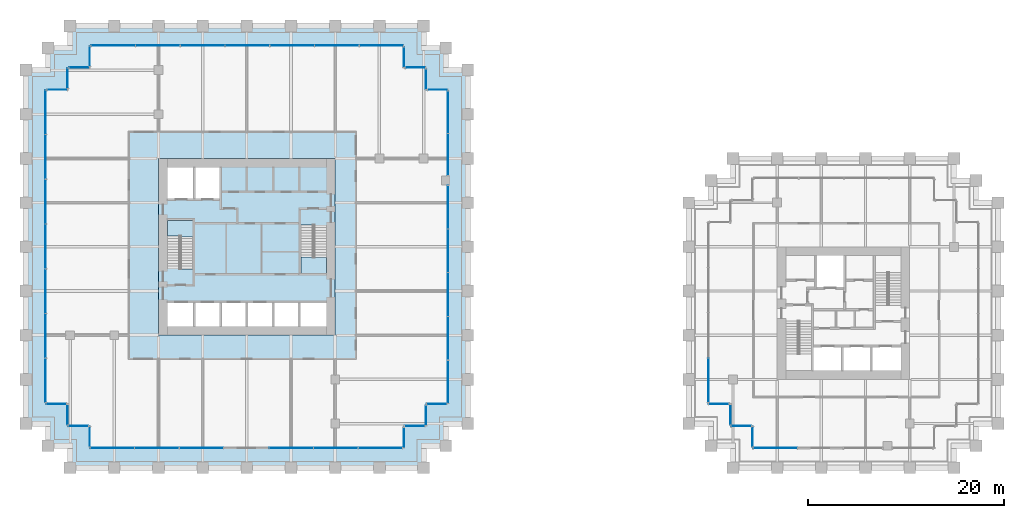
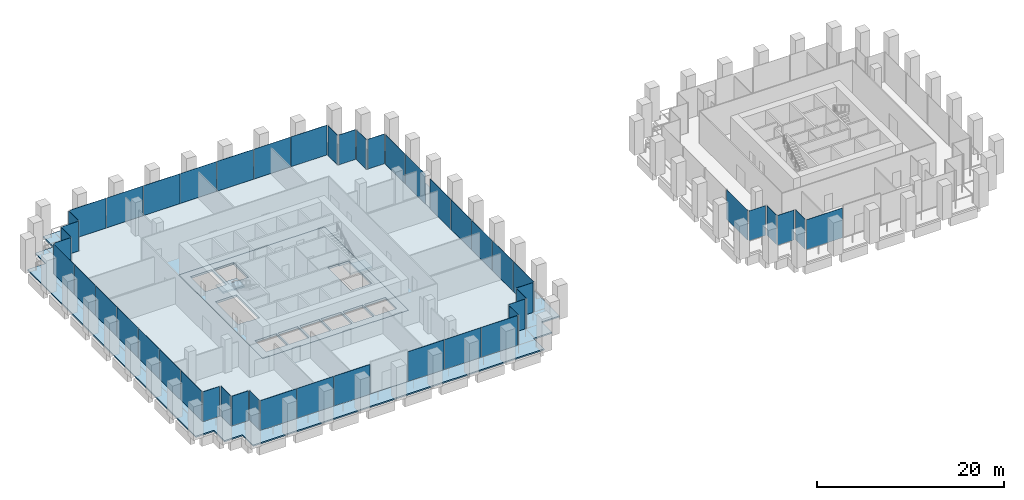
# One storey, part 28 of 36: 49 plates, 5 slabs, 30 elements without a shape of their own.
"""IFC4 building model written with IfcOpenShell, lengths in metres."""

from ifc_helpers import new_model, si_unit, direction, frame, origin, origin_2d, place, context, subcontext, project, spatial, polyline, rectangle, outline, extrude, material, layer, layer_set, type_object, element, aggregate, save


model = new_model("IFC4")

# Units and contexts
model_context = context("Model", 3, precision=1e-05, world=origin(), true_north=direction((0.0, 1.0)))
body_context = subcontext(model_context, "Body", "Model", "MODEL_VIEW")
ifc_project = project(units=[si_unit("LENGTHUNIT", "METRE"), si_unit("AREAUNIT", "SQUARE_METRE"), si_unit("VOLUMEUNIT", "CUBIC_METRE"), si_unit("PLANEANGLEUNIT", "RADIAN"), si_unit("MASSUNIT", "GRAM", prefix="KILO")], contexts=[model_context])

# Site, building, storey
site_placement = place(None, origin())
site = spatial("IfcSite", under=ifc_project, at=site_placement, CompositionType="ELEMENT")
building_placement = place(site_placement, origin())
building = spatial("IfcBuilding", under=site, at=building_placement, Name="Altepetl Exchange Towers", CompositionType="ELEMENT")
storey_placement = place(building_placement, frame((0.0, 0.0, 25.39990234375)))
storey = spatial("IfcBuildingStorey", under=building, at=storey_placement, Name="L05", CompositionType="ELEMENT", Elevation=25.39990234375)

# Slabs
ifc_material_1 = material(Name="Concrete C40/50", Category="concrete")
ifc_layer_1 = layer(ifc_material_1, 0.175048828125)
ifc_layer_set_1 = layer_set([ifc_layer_1], Name="Concrete C40/50")
slab_type_1 = type_object("IfcSlabType", Name="Composite floor slab 175", PredefinedType="FLOOR", material=ifc_layer_set_1)
slab_1_placement = place(storey_placement, frame((0.0, 0.0, -0.1748046875)))
element("IfcSlab", 1, at=slab_1_placement, inside=storey, type_object=slab_type_1, Name="slab:A:L05:strip0", PredefinedType="FLOOR", context=body_context, shape_type="SweptSolid", body=[
    extrude(outline(polyline([(31.25, 67.75), (31.25, 65.5), (29.0, 65.5), (29.0, 33.5), (31.25, 33.5), (31.25, 31.25), (33.5, 31.25), (33.5, 29.0), (65.5, 29.0), (65.5, 31.25), (67.75, 31.25), (67.75, 33.5), (70.0, 33.5), (70.0, 65.5), (67.75, 65.5), (67.75, 67.75), (65.5, 67.75), (65.5, 70.0), (33.5, 70.0), (33.5, 67.75), (31.25, 67.75)]), holes=[polyline([(58.5, 58.5), (58.5, 40.5), (40.5, 40.5), (40.5, 58.5), (58.5, 58.5)])]), origin(), (0.0, 0.0, 1.0), 0.1748046875),
])
ifc_layer_2 = layer(ifc_material_1, 0.27490234375)
ifc_layer_set_2 = layer_set([ifc_layer_2], Name="Concrete C40/50")
slab_type_2 = type_object("IfcSlabType", Name="Core floor slab 275", PredefinedType="FLOOR", material=ifc_layer_set_2)
slab_2_placement = place(storey_placement, frame((0.0, 0.0, -0.27490234375)))
element("IfcSlab", 2, at=slab_2_placement, inside=storey, type_object=slab_type_2, Name="slab:A:L05:core0", PredefinedType="FLOOR", context=body_context, shape_type="SweptSolid", body=[
    extrude(outline(polyline([(40.5, 40.5), (58.5, 40.5), (58.5, 58.5), (40.5, 58.5), (40.5, 40.5)]), holes=[polyline([(41.39990234375, 43.800048828125), (44.06689453125, 43.800048828125), (44.06689453125, 41.39990234375), (41.39990234375, 41.39990234375), (41.39990234375, 43.800048828125)]), polyline([(44.26708984375, 43.800048828125), (46.73291015625, 43.800048828125), (46.73291015625, 41.39990234375), (44.26708984375, 41.39990234375), (44.26708984375, 43.800048828125)]), polyline([(46.93310546875, 43.800048828125), (49.39990234375, 43.800048828125), (49.39990234375, 41.39990234375), (46.93310546875, 41.39990234375), (46.93310546875, 43.800048828125)]), polyline([(52.06689453125, 43.800048828125), (52.06689453125, 41.39990234375), (49.60009765625, 41.39990234375), (49.60009765625, 43.800048828125), (52.06689453125, 43.800048828125)]), polyline([(54.73291015625, 43.800048828125), (54.73291015625, 41.39990234375), (52.26708984375, 41.39990234375), (52.26708984375, 43.800048828125), (54.73291015625, 43.800048828125)]), polyline([(54.93310546875, 43.800048828125), (57.60009765625, 43.800048828125), (57.60009765625, 41.39990234375), (54.93310546875, 41.39990234375), (54.93310546875, 43.800048828125)]), polyline([(55.0, 51.7490234375), (56.35009765625, 51.7490234375), (56.35009765625, 51.64990234375), (57.60009765625, 51.64990234375), (57.60009765625, 46.800048828125), (55.0, 46.800048828125), (55.0, 51.7490234375)]), polyline([(44.0, 47.2509765625), (42.64990234375, 47.2509765625), (42.64990234375, 47.35009765625), (41.39990234375, 47.35009765625), (41.39990234375, 52.199951171875), (44.0, 52.199951171875), (44.0, 47.2509765625)]), polyline([(44.06689453125, 57.60009765625), (44.06689453125, 54.39990234375), (41.39990234375, 54.39990234375), (41.39990234375, 57.60009765625), (44.06689453125, 57.60009765625)]), polyline([(46.73291015625, 57.60009765625), (46.73291015625, 54.39990234375), (44.26708984375, 54.39990234375), (44.26708984375, 57.60009765625), (46.73291015625, 57.60009765625)])]), origin(), (0.0, 0.0, 1.0), 0.27490234375),
])

# Curtain wall, plate
ifc_material_2 = material(Name="Aluminium 6063-T6 glazing", Category="aluminium")
curtain_wall_type = type_object("IfcCurtainWallType", Name="Trading floor glazing system", PredefinedType="NOTDEFINED", material=ifc_material_2)
curtain_wall_1_placement = place(storey_placement, origin())
curtain_wall_1 = element("IfcCurtainWall", 3, at=curtain_wall_1_placement, inside=storey, type_object=curtain_wall_type, Name="CW2 run", PredefinedType="NOTDEFINED")
ifc_material_3 = material(Name="Glass 8-20-8 solar control", Category="glass")
ifc_layer_3 = layer(ifc_material_3, 0.035888671875)
ifc_layer_set_3 = layer_set([ifc_layer_3], Name="Glass 8-20-8 solar control")
plate_type = type_object("IfcPlateType", Name="Glass panel 36 double glazed", PredefinedType="CURTAIN_PANEL", material=ifc_layer_set_3)
plate_1_placement = place(storey_placement, frame((30.175048828125, 65.5, 0.000244140625), z_axis=(0.0, 0.0, 1.0), x_axis=(-1.0, 0.0, 0.0)))
plate_1 = element("IfcPlate", 4, at=plate_1_placement, type_object=plate_type, Name="GP2 panel", PredefinedType="CURTAIN_PANEL", context=body_context, shape_type="SweptSolid", body=[
    extrude(rectangle(XDim=2.030029296875, YDim=0.035888671875, at=origin_2d()), origin(), (0.0, 0.0, 1.0), 3.89990234375),
])
aggregate(curtain_wall_1, [plate_1])

# Curtain wall, plates
curtain_wall_2_placement = place(storey_placement, origin())
curtain_wall_2 = element("IfcCurtainWall", 5, at=curtain_wall_2_placement, inside=storey, type_object=curtain_wall_type, Name="CW2 run", PredefinedType="NOTDEFINED")
plate_2_placement = place(storey_placement, frame((29.0, 63.20654296875, 0.000244140625), z_axis=(0.0, 0.0, 1.0), x_axis=(0.0, -1.0, 0.0)))
plate_2 = element("IfcPlate", 6, at=plate_2_placement, type_object=plate_type, Name="GP2 panel", PredefinedType="CURTAIN_PANEL", context=body_context, shape_type="SweptSolid", body=[
    extrude(rectangle(XDim=4.467041015625, YDim=0.035888671875, at=origin_2d()), origin(), (0.0, 0.0, 1.0), 3.89990234375),
])
plate_3_placement = place(storey_placement, frame((29.0, 58.664306640625, 0.000244140625), z_axis=(0.0, 0.0, 1.0), x_axis=(0.0, -1.0, 0.0)))
plate_3 = element("IfcPlate", 7, at=plate_3_placement, type_object=plate_type, Name="GP2 panel", PredefinedType="CURTAIN_PANEL", context=body_context, shape_type="SweptSolid", body=[
    extrude(rectangle(XDim=4.4970703125, YDim=0.035888671875, at=origin_2d()), origin(), (0.0, 0.0, 1.0), 3.89990234375),
])
plate_4_placement = place(storey_placement, frame((29.0, 54.107177734375, 0.000244140625), z_axis=(0.0, 0.0, 1.0), x_axis=(0.0, -1.0, 0.0)))
plate_4 = element("IfcPlate", 8, at=plate_4_placement, type_object=plate_type, Name="GP2 panel", PredefinedType="CURTAIN_PANEL", context=body_context, shape_type="SweptSolid", body=[
    extrude(rectangle(XDim=4.4970703125, YDim=0.035888671875, at=origin_2d()), origin(), (0.0, 0.0, 1.0), 3.89990234375),
])
plate_5_placement = place(storey_placement, frame((29.0, 49.550048828125, 0.000244140625), z_axis=(0.0, 0.0, 1.0), x_axis=(0.0, -1.0, 0.0)))
plate_5 = element("IfcPlate", 9, at=plate_5_placement, type_object=plate_type, Name="GP2 panel", PredefinedType="CURTAIN_PANEL", context=body_context, shape_type="SweptSolid", body=[
    extrude(rectangle(XDim=4.4970703125, YDim=0.035888671875, at=origin_2d()), origin(), (0.0, 0.0, 1.0), 3.89990234375),
])
plate_6_placement = place(storey_placement, frame((29.0, 44.992919921875, 0.000244140625), z_axis=(0.0, 0.0, 1.0), x_axis=(0.0, -1.0, 0.0)))
plate_6 = element("IfcPlate", 10, at=plate_6_placement, type_object=plate_type, Name="GP2 panel", PredefinedType="CURTAIN_PANEL", context=body_context, shape_type="SweptSolid", body=[
    extrude(rectangle(XDim=4.4970703125, YDim=0.035888671875, at=origin_2d()), origin(), (0.0, 0.0, 1.0), 3.89990234375),
])
plate_7_placement = place(storey_placement, frame((29.0, 40.435791015625, 0.000244140625), z_axis=(0.0, 0.0, 1.0), x_axis=(0.0, -1.0, 0.0)))
plate_7 = element("IfcPlate", 11, at=plate_7_placement, type_object=plate_type, Name="GP2 panel", PredefinedType="CURTAIN_PANEL", context=body_context, shape_type="SweptSolid", body=[
    extrude(rectangle(XDim=4.4970703125, YDim=0.035888671875, at=origin_2d()), origin(), (0.0, 0.0, 1.0), 3.89990234375),
])
plate_8_placement = place(storey_placement, frame((29.0, 35.8935546875, 0.000244140625), z_axis=(0.0, 0.0, 1.0), x_axis=(0.0, -1.0, 0.0)))
plate_8 = element("IfcPlate", 12, at=plate_8_placement, type_object=plate_type, Name="GP2 panel", PredefinedType="CURTAIN_PANEL", context=body_context, shape_type="SweptSolid", body=[
    extrude(rectangle(XDim=4.467041015625, YDim=0.035888671875, at=origin_2d()), origin(), (0.0, 0.0, 1.0), 3.89990234375),
])
aggregate(curtain_wall_2, [plate_2, plate_3, plate_4, plate_5, plate_6, plate_7, plate_8])

# Curtain wall, plate
curtain_wall_3_placement = place(storey_placement, origin())
curtain_wall_3 = element("IfcCurtainWall", 13, at=curtain_wall_3_placement, inside=storey, type_object=curtain_wall_type, Name="CW2 run", PredefinedType="NOTDEFINED")
plate_9_placement = place(storey_placement, frame((30.074951171875, 33.5, 0.000244140625)))
plate_9 = element("IfcPlate", 14, at=plate_9_placement, type_object=plate_type, Name="GP2 panel", PredefinedType="CURTAIN_PANEL", context=body_context, shape_type="SweptSolid", body=[
    extrude(rectangle(XDim=2.030029296875, YDim=0.035888671875, at=origin_2d()), origin(), (0.0, 0.0, 1.0), 3.89990234375),
])
aggregate(curtain_wall_3, [plate_9])

curtain_wall_4_placement = place(storey_placement, origin())
curtain_wall_4 = element("IfcCurtainWall", 15, at=curtain_wall_4_placement, inside=storey, type_object=curtain_wall_type, Name="CW2 run", PredefinedType="NOTDEFINED")
plate_10_placement = place(storey_placement, frame((31.25, 32.425048828125, 0.000244140625), z_axis=(0.0, 0.0, 1.0), x_axis=(0.0, -1.0, 0.0)))
plate_10 = element("IfcPlate", 16, at=plate_10_placement, type_object=plate_type, Name="GP2 panel", PredefinedType="CURTAIN_PANEL", context=body_context, shape_type="SweptSolid", body=[
    extrude(rectangle(XDim=2.030029296875, YDim=0.035888671875, at=origin_2d()), origin(), (0.0, 0.0, 1.0), 3.89990234375),
])
aggregate(curtain_wall_4, [plate_10])

curtain_wall_5_placement = place(storey_placement, origin())
curtain_wall_5 = element("IfcCurtainWall", 17, at=curtain_wall_5_placement, inside=storey, type_object=curtain_wall_type, Name="CW2 run", PredefinedType="NOTDEFINED")
plate_11_placement = place(storey_placement, frame((32.324951171875, 31.25, 0.000244140625)))
plate_11 = element("IfcPlate", 18, at=plate_11_placement, type_object=plate_type, Name="GP2 panel", PredefinedType="CURTAIN_PANEL", context=body_context, shape_type="SweptSolid", body=[
    extrude(rectangle(XDim=2.030029296875, YDim=0.035888671875, at=origin_2d()), origin(), (0.0, 0.0, 1.0), 3.89990234375),
])
aggregate(curtain_wall_5, [plate_11])

curtain_wall_6_placement = place(storey_placement, origin())
curtain_wall_6 = element("IfcCurtainWall", 19, at=curtain_wall_6_placement, inside=storey, type_object=curtain_wall_type, Name="CW2 run", PredefinedType="NOTDEFINED")
plate_12_placement = place(storey_placement, frame((33.5, 30.175048828125, 0.000244140625), z_axis=(0.0, 0.0, 1.0), x_axis=(0.0, -1.0, 0.0)))
plate_12 = element("IfcPlate", 20, at=plate_12_placement, type_object=plate_type, Name="GP2 panel", PredefinedType="CURTAIN_PANEL", context=body_context, shape_type="SweptSolid", body=[
    extrude(rectangle(XDim=2.030029296875, YDim=0.035888671875, at=origin_2d()), origin(), (0.0, 0.0, 1.0), 3.89990234375),
])
aggregate(curtain_wall_6, [plate_12])

# Curtain wall, plates
curtain_wall_7_placement = place(storey_placement, origin())
curtain_wall_7 = element("IfcCurtainWall", 21, at=curtain_wall_7_placement, inside=storey, type_object=curtain_wall_type, Name="CW2 run", PredefinedType="NOTDEFINED")
plate_13_placement = place(storey_placement, frame((35.79345703125, 29.0, 0.000244140625)))
plate_13 = element("IfcPlate", 22, at=plate_13_placement, type_object=plate_type, Name="GP2 panel", PredefinedType="CURTAIN_PANEL", context=body_context, shape_type="SweptSolid", body=[
    extrude(rectangle(XDim=4.467041015625, YDim=0.035888671875, at=origin_2d()), origin(), (0.0, 0.0, 1.0), 3.89990234375),
])
plate_14_placement = place(storey_placement, frame((40.335693359375, 29.0, 0.000244140625)))
plate_14 = element("IfcPlate", 23, at=plate_14_placement, type_object=plate_type, Name="GP2 panel", PredefinedType="CURTAIN_PANEL", context=body_context, shape_type="SweptSolid", body=[
    extrude(rectangle(XDim=4.4970703125, YDim=0.035888671875, at=origin_2d()), origin(), (0.0, 0.0, 1.0), 3.89990234375),
])
plate_15_placement = place(storey_placement, frame((44.8779296875, 29.0, 0.000244140625)))
plate_15 = element("IfcPlate", 24, at=plate_15_placement, type_object=plate_type, Name="GP2 panel", PredefinedType="CURTAIN_PANEL", context=body_context, shape_type="SweptSolid", body=[
    extrude(rectangle(XDim=4.467041015625, YDim=0.035888671875, at=origin_2d()), origin(), (0.0, 0.0, 1.0), 3.89990234375),
])
aggregate(curtain_wall_7, [plate_13, plate_14, plate_15])

curtain_wall_8_placement = place(storey_placement, origin())
curtain_wall_8 = element("IfcCurtainWall", 25, at=curtain_wall_8_placement, inside=storey, type_object=curtain_wall_type, Name="CW2 run", PredefinedType="NOTDEFINED")
plate_16_placement = place(storey_placement, frame((54.022216796875, 29.0, 0.000244140625)))
plate_16 = element("IfcPlate", 26, at=plate_16_placement, type_object=plate_type, Name="GP2 panel", PredefinedType="CURTAIN_PANEL", context=body_context, shape_type="SweptSolid", body=[
    extrude(rectangle(XDim=4.467041015625, YDim=0.035888671875, at=origin_2d()), origin(), (0.0, 0.0, 1.0), 3.89990234375),
])
plate_17_placement = place(storey_placement, frame((58.564208984375, 29.0, 0.000244140625)))
plate_17 = element("IfcPlate", 27, at=plate_17_placement, type_object=plate_type, Name="GP2 panel", PredefinedType="CURTAIN_PANEL", context=body_context, shape_type="SweptSolid", body=[
    extrude(rectangle(XDim=4.4970703125, YDim=0.035888671875, at=origin_2d()), origin(), (0.0, 0.0, 1.0), 3.89990234375),
])
plate_18_placement = place(storey_placement, frame((63.1064453125, 29.0, 0.000244140625)))
plate_18 = element("IfcPlate", 28, at=plate_18_placement, type_object=plate_type, Name="GP2 panel", PredefinedType="CURTAIN_PANEL", context=body_context, shape_type="SweptSolid", body=[
    extrude(rectangle(XDim=4.467041015625, YDim=0.035888671875, at=origin_2d()), origin(), (0.0, 0.0, 1.0), 3.89990234375),
])
aggregate(curtain_wall_8, [plate_16, plate_17, plate_18])

# Curtain wall, plate
curtain_wall_9_placement = place(storey_placement, origin())
curtain_wall_9 = element("IfcCurtainWall", 29, at=curtain_wall_9_placement, inside=storey, type_object=curtain_wall_type, Name="CW2 run", PredefinedType="NOTDEFINED")
plate_19_placement = place(storey_placement, frame((65.5, 30.074951171875, 0.000244140625), z_axis=(0.0, 0.0, 1.0), x_axis=(0.0, 1.0, 0.0)))
plate_19 = element("IfcPlate", 30, at=plate_19_placement, type_object=plate_type, Name="GP2 panel", PredefinedType="CURTAIN_PANEL", context=body_context, shape_type="SweptSolid", body=[
    extrude(rectangle(XDim=2.030029296875, YDim=0.035888671875, at=origin_2d()), origin(), (0.0, 0.0, 1.0), 3.89990234375),
])
aggregate(curtain_wall_9, [plate_19])

curtain_wall_10_placement = place(storey_placement, origin())
curtain_wall_10 = element("IfcCurtainWall", 31, at=curtain_wall_10_placement, inside=storey, type_object=curtain_wall_type, Name="CW2 run", PredefinedType="NOTDEFINED")
plate_20_placement = place(storey_placement, frame((66.574951171875, 31.25, 0.000244140625)))
plate_20 = element("IfcPlate", 32, at=plate_20_placement, type_object=plate_type, Name="GP2 panel", PredefinedType="CURTAIN_PANEL", context=body_context, shape_type="SweptSolid", body=[
    extrude(rectangle(XDim=2.030029296875, YDim=0.035888671875, at=origin_2d()), origin(), (0.0, 0.0, 1.0), 3.89990234375),
])
aggregate(curtain_wall_10, [plate_20])

curtain_wall_11_placement = place(storey_placement, origin())
curtain_wall_11 = element("IfcCurtainWall", 33, at=curtain_wall_11_placement, inside=storey, type_object=curtain_wall_type, Name="CW2 run", PredefinedType="NOTDEFINED")
plate_21_placement = place(storey_placement, frame((67.75, 32.324951171875, 0.000244140625), z_axis=(0.0, 0.0, 1.0), x_axis=(0.0, 1.0, 0.0)))
plate_21 = element("IfcPlate", 34, at=plate_21_placement, type_object=plate_type, Name="GP2 panel", PredefinedType="CURTAIN_PANEL", context=body_context, shape_type="SweptSolid", body=[
    extrude(rectangle(XDim=2.030029296875, YDim=0.035888671875, at=origin_2d()), origin(), (0.0, 0.0, 1.0), 3.89990234375),
])
aggregate(curtain_wall_11, [plate_21])

curtain_wall_12_placement = place(storey_placement, origin())
curtain_wall_12 = element("IfcCurtainWall", 35, at=curtain_wall_12_placement, inside=storey, type_object=curtain_wall_type, Name="CW2 run", PredefinedType="NOTDEFINED")
plate_22_placement = place(storey_placement, frame((68.824951171875, 33.5, 0.000244140625)))
plate_22 = element("IfcPlate", 36, at=plate_22_placement, type_object=plate_type, Name="GP2 panel", PredefinedType="CURTAIN_PANEL", context=body_context, shape_type="SweptSolid", body=[
    extrude(rectangle(XDim=2.030029296875, YDim=0.035888671875, at=origin_2d()), origin(), (0.0, 0.0, 1.0), 3.89990234375),
])
aggregate(curtain_wall_12, [plate_22])

# Curtain wall, plates
curtain_wall_13_placement = place(storey_placement, origin())
curtain_wall_13 = element("IfcCurtainWall", 37, at=curtain_wall_13_placement, inside=storey, type_object=curtain_wall_type, Name="CW2 run", PredefinedType="NOTDEFINED")
plate_23_placement = place(storey_placement, frame((70.0, 35.742919921875, 0.000244140625), z_axis=(0.0, 0.0, 1.0), x_axis=(0.0, 1.0, 0.0)))
plate_23 = element("IfcPlate", 38, at=plate_23_placement, type_object=plate_type, Name="GP2 panel", PredefinedType="CURTAIN_PANEL", context=body_context, shape_type="SweptSolid", body=[
    extrude(rectangle(XDim=4.365966796875, YDim=0.035888671875, at=origin_2d()), origin(), (0.0, 0.0, 1.0), 3.89990234375),
])
plate_24_placement = place(storey_placement, frame((70.0, 40.18408203125, 0.000244140625), z_axis=(0.0, 0.0, 1.0), x_axis=(0.0, 1.0, 0.0)))
plate_24 = element("IfcPlate", 39, at=plate_24_placement, type_object=plate_type, Name="GP2 panel", PredefinedType="CURTAIN_PANEL", context=body_context, shape_type="SweptSolid", body=[
    extrude(rectangle(XDim=4.39599609375, YDim=0.035888671875, at=origin_2d()), origin(), (0.0, 0.0, 1.0), 3.89990234375),
])
plate_25_placement = place(storey_placement, frame((70.0, 44.639892578125, 0.000244140625), z_axis=(0.0, 0.0, 1.0), x_axis=(0.0, 1.0, 0.0)))
plate_25 = element("IfcPlate", 40, at=plate_25_placement, type_object=plate_type, Name="GP2 panel", PredefinedType="CURTAIN_PANEL", context=body_context, shape_type="SweptSolid", body=[
    extrude(rectangle(XDim=4.39599609375, YDim=0.035888671875, at=origin_2d()), origin(), (0.0, 0.0, 1.0), 3.89990234375),
])
plate_26_placement = place(storey_placement, frame((70.0, 49.095947265625, 0.000244140625), z_axis=(0.0, 0.0, 1.0), x_axis=(0.0, 1.0, 0.0)))
plate_26 = element("IfcPlate", 41, at=plate_26_placement, type_object=plate_type, Name="GP2 panel", PredefinedType="CURTAIN_PANEL", context=body_context, shape_type="SweptSolid", body=[
    extrude(rectangle(XDim=4.39599609375, YDim=0.035888671875, at=origin_2d()), origin(), (0.0, 0.0, 1.0), 3.89990234375),
])
plate_27_placement = place(storey_placement, frame((70.0, 53.537109375, 0.000244140625), z_axis=(0.0, 0.0, 1.0), x_axis=(0.0, 1.0, 0.0)))
plate_27 = element("IfcPlate", 42, at=plate_27_placement, type_object=plate_type, Name="GP2 panel", PredefinedType="CURTAIN_PANEL", context=body_context, shape_type="SweptSolid", body=[
    extrude(rectangle(XDim=4.365966796875, YDim=0.035888671875, at=origin_2d()), origin(), (0.0, 0.0, 1.0), 3.89990234375),
])
aggregate(curtain_wall_13, [plate_23, plate_24, plate_25, plate_26, plate_27])

curtain_wall_14_placement = place(storey_placement, origin())
curtain_wall_14 = element("IfcCurtainWall", 43, at=curtain_wall_14_placement, inside=storey, type_object=curtain_wall_type, Name="CW2 run", PredefinedType="NOTDEFINED")
plate_28_placement = place(storey_placement, frame((70.0, 58.905029296875, 0.000244140625), z_axis=(0.0, 0.0, 1.0), x_axis=(0.0, 1.0, 0.0)))
plate_28 = element("IfcPlate", 44, at=plate_28_placement, type_object=plate_type, Name="GP2 panel", PredefinedType="CURTAIN_PANEL", context=body_context, shape_type="SweptSolid", body=[
    extrude(rectangle(XDim=4.25, YDim=0.035888671875, at=origin_2d()), origin(), (0.0, 0.0, 1.0), 3.89990234375),
])
plate_29_placement = place(storey_placement, frame((70.0, 63.215087890625, 0.000244140625), z_axis=(0.0, 0.0, 1.0), x_axis=(0.0, 1.0, 0.0)))
plate_29 = element("IfcPlate", 45, at=plate_29_placement, type_object=plate_type, Name="GP2 panel", PredefinedType="CURTAIN_PANEL", context=body_context, shape_type="SweptSolid", body=[
    extrude(rectangle(XDim=4.25, YDim=0.035888671875, at=origin_2d()), origin(), (0.0, 0.0, 1.0), 3.89990234375),
])
aggregate(curtain_wall_14, [plate_28, plate_29])

# Curtain wall, plate
curtain_wall_15_placement = place(storey_placement, origin())
curtain_wall_15 = element("IfcCurtainWall", 46, at=curtain_wall_15_placement, inside=storey, type_object=curtain_wall_type, Name="CW2 run", PredefinedType="NOTDEFINED")
plate_30_placement = place(storey_placement, frame((68.925048828125, 65.5, 0.000244140625), z_axis=(0.0, 0.0, 1.0), x_axis=(-1.0, 0.0, 0.0)))
plate_30 = element("IfcPlate", 47, at=plate_30_placement, type_object=plate_type, Name="GP2 panel", PredefinedType="CURTAIN_PANEL", context=body_context, shape_type="SweptSolid", body=[
    extrude(rectangle(XDim=2.030029296875, YDim=0.035888671875, at=origin_2d()), origin(), (0.0, 0.0, 1.0), 3.89990234375),
])
aggregate(curtain_wall_15, [plate_30])

curtain_wall_16_placement = place(storey_placement, origin())
curtain_wall_16 = element("IfcCurtainWall", 48, at=curtain_wall_16_placement, inside=storey, type_object=curtain_wall_type, Name="CW2 run", PredefinedType="NOTDEFINED")
plate_31_placement = place(storey_placement, frame((67.75, 66.574951171875, 0.000244140625), z_axis=(0.0, 0.0, 1.0), x_axis=(0.0, 1.0, 0.0)))
plate_31 = element("IfcPlate", 49, at=plate_31_placement, type_object=plate_type, Name="GP2 panel", PredefinedType="CURTAIN_PANEL", context=body_context, shape_type="SweptSolid", body=[
    extrude(rectangle(XDim=2.030029296875, YDim=0.035888671875, at=origin_2d()), origin(), (0.0, 0.0, 1.0), 3.89990234375),
])
aggregate(curtain_wall_16, [plate_31])

curtain_wall_17_placement = place(storey_placement, origin())
curtain_wall_17 = element("IfcCurtainWall", 50, at=curtain_wall_17_placement, inside=storey, type_object=curtain_wall_type, Name="CW2 run", PredefinedType="NOTDEFINED")
plate_32_placement = place(storey_placement, frame((66.675048828125, 67.75, 0.000244140625), z_axis=(0.0, 0.0, 1.0), x_axis=(-1.0, 0.0, 0.0)))
plate_32 = element("IfcPlate", 51, at=plate_32_placement, type_object=plate_type, Name="GP2 panel", PredefinedType="CURTAIN_PANEL", context=body_context, shape_type="SweptSolid", body=[
    extrude(rectangle(XDim=2.030029296875, YDim=0.035888671875, at=origin_2d()), origin(), (0.0, 0.0, 1.0), 3.89990234375),
])
aggregate(curtain_wall_17, [plate_32])

curtain_wall_18_placement = place(storey_placement, origin())
curtain_wall_18 = element("IfcCurtainWall", 52, at=curtain_wall_18_placement, inside=storey, type_object=curtain_wall_type, Name="CW2 run", PredefinedType="NOTDEFINED")
plate_33_placement = place(storey_placement, frame((65.5, 68.824951171875, 0.000244140625), z_axis=(0.0, 0.0, 1.0), x_axis=(0.0, 1.0, 0.0)))
plate_33 = element("IfcPlate", 53, at=plate_33_placement, type_object=plate_type, Name="GP2 panel", PredefinedType="CURTAIN_PANEL", context=body_context, shape_type="SweptSolid", body=[
    extrude(rectangle(XDim=2.030029296875, YDim=0.035888671875, at=origin_2d()), origin(), (0.0, 0.0, 1.0), 3.89990234375),
])
aggregate(curtain_wall_18, [plate_33])

# Curtain wall, plates
curtain_wall_19_placement = place(storey_placement, origin())
curtain_wall_19 = element("IfcCurtainWall", 54, at=curtain_wall_19_placement, inside=storey, type_object=curtain_wall_type, Name="CW2 run", PredefinedType="NOTDEFINED")
plate_34_placement = place(storey_placement, frame((63.20654296875, 70.0, 0.000244140625), z_axis=(0.0, 0.0, 1.0), x_axis=(-1.0, 0.0, 0.0)))
plate_34 = element("IfcPlate", 55, at=plate_34_placement, type_object=plate_type, Name="GP2 panel", PredefinedType="CURTAIN_PANEL", context=body_context, shape_type="SweptSolid", body=[
    extrude(rectangle(XDim=4.467041015625, YDim=0.035888671875, at=origin_2d()), origin(), (0.0, 0.0, 1.0), 3.89990234375),
])
plate_35_placement = place(storey_placement, frame((58.664306640625, 70.0, 0.000244140625), z_axis=(0.0, 0.0, 1.0), x_axis=(-1.0, 0.0, 0.0)))
plate_35 = element("IfcPlate", 56, at=plate_35_placement, type_object=plate_type, Name="GP2 panel", PredefinedType="CURTAIN_PANEL", context=body_context, shape_type="SweptSolid", body=[
    extrude(rectangle(XDim=4.4970703125, YDim=0.035888671875, at=origin_2d()), origin(), (0.0, 0.0, 1.0), 3.89990234375),
])
plate_36_placement = place(storey_placement, frame((54.107177734375, 70.0, 0.000244140625), z_axis=(0.0, 0.0, 1.0), x_axis=(-1.0, 0.0, 0.0)))
plate_36 = element("IfcPlate", 57, at=plate_36_placement, type_object=plate_type, Name="GP2 panel", PredefinedType="CURTAIN_PANEL", context=body_context, shape_type="SweptSolid", body=[
    extrude(rectangle(XDim=4.4970703125, YDim=0.035888671875, at=origin_2d()), origin(), (0.0, 0.0, 1.0), 3.89990234375),
])
plate_37_placement = place(storey_placement, frame((49.550048828125, 70.0, 0.000244140625), z_axis=(0.0, 0.0, 1.0), x_axis=(-1.0, 0.0, 0.0)))
plate_37 = element("IfcPlate", 58, at=plate_37_placement, type_object=plate_type, Name="GP2 panel", PredefinedType="CURTAIN_PANEL", context=body_context, shape_type="SweptSolid", body=[
    extrude(rectangle(XDim=4.4970703125, YDim=0.035888671875, at=origin_2d()), origin(), (0.0, 0.0, 1.0), 3.89990234375),
])
plate_38_placement = place(storey_placement, frame((44.992919921875, 70.0, 0.000244140625), z_axis=(0.0, 0.0, 1.0), x_axis=(-1.0, 0.0, 0.0)))
plate_38 = element("IfcPlate", 59, at=plate_38_placement, type_object=plate_type, Name="GP2 panel", PredefinedType="CURTAIN_PANEL", context=body_context, shape_type="SweptSolid", body=[
    extrude(rectangle(XDim=4.4970703125, YDim=0.035888671875, at=origin_2d()), origin(), (0.0, 0.0, 1.0), 3.89990234375),
])
plate_39_placement = place(storey_placement, frame((40.435791015625, 70.0, 0.000244140625), z_axis=(0.0, 0.0, 1.0), x_axis=(-1.0, 0.0, 0.0)))
plate_39 = element("IfcPlate", 60, at=plate_39_placement, type_object=plate_type, Name="GP2 panel", PredefinedType="CURTAIN_PANEL", context=body_context, shape_type="SweptSolid", body=[
    extrude(rectangle(XDim=4.4970703125, YDim=0.035888671875, at=origin_2d()), origin(), (0.0, 0.0, 1.0), 3.89990234375),
])
plate_40_placement = place(storey_placement, frame((35.8935546875, 70.0, 0.000244140625), z_axis=(0.0, 0.0, 1.0), x_axis=(-1.0, 0.0, 0.0)))
plate_40 = element("IfcPlate", 61, at=plate_40_placement, type_object=plate_type, Name="GP2 panel", PredefinedType="CURTAIN_PANEL", context=body_context, shape_type="SweptSolid", body=[
    extrude(rectangle(XDim=4.467041015625, YDim=0.035888671875, at=origin_2d()), origin(), (0.0, 0.0, 1.0), 3.89990234375),
])
aggregate(curtain_wall_19, [plate_34, plate_35, plate_36, plate_37, plate_38, plate_39, plate_40])

# Curtain wall, plate
curtain_wall_20_placement = place(storey_placement, origin())
curtain_wall_20 = element("IfcCurtainWall", 62, at=curtain_wall_20_placement, inside=storey, type_object=curtain_wall_type, Name="CW2 run", PredefinedType="NOTDEFINED")
plate_41_placement = place(storey_placement, frame((33.5, 68.925048828125, 0.000244140625), z_axis=(0.0, 0.0, 1.0), x_axis=(0.0, -1.0, 0.0)))
plate_41 = element("IfcPlate", 63, at=plate_41_placement, type_object=plate_type, Name="GP2 panel", PredefinedType="CURTAIN_PANEL", context=body_context, shape_type="SweptSolid", body=[
    extrude(rectangle(XDim=2.030029296875, YDim=0.035888671875, at=origin_2d()), origin(), (0.0, 0.0, 1.0), 3.89990234375),
])
aggregate(curtain_wall_20, [plate_41])

curtain_wall_21_placement = place(storey_placement, origin())
curtain_wall_21 = element("IfcCurtainWall", 64, at=curtain_wall_21_placement, inside=storey, type_object=curtain_wall_type, Name="CW2 run", PredefinedType="NOTDEFINED")
plate_42_placement = place(storey_placement, frame((32.425048828125, 67.75, 0.000244140625), z_axis=(0.0, 0.0, 1.0), x_axis=(-1.0, 0.0, 0.0)))
plate_42 = element("IfcPlate", 65, at=plate_42_placement, type_object=plate_type, Name="GP2 panel", PredefinedType="CURTAIN_PANEL", context=body_context, shape_type="SweptSolid", body=[
    extrude(rectangle(XDim=2.030029296875, YDim=0.035888671875, at=origin_2d()), origin(), (0.0, 0.0, 1.0), 3.89990234375),
])
aggregate(curtain_wall_21, [plate_42])

curtain_wall_22_placement = place(storey_placement, origin())
curtain_wall_22 = element("IfcCurtainWall", 66, at=curtain_wall_22_placement, inside=storey, type_object=curtain_wall_type, Name="CW2 run", PredefinedType="NOTDEFINED")
plate_43_placement = place(storey_placement, frame((31.25, 66.675048828125, 0.000244140625), z_axis=(0.0, 0.0, 1.0), x_axis=(0.0, -1.0, 0.0)))
plate_43 = element("IfcPlate", 67, at=plate_43_placement, type_object=plate_type, Name="GP2 panel", PredefinedType="CURTAIN_PANEL", context=body_context, shape_type="SweptSolid", body=[
    extrude(rectangle(XDim=2.030029296875, YDim=0.035888671875, at=origin_2d()), origin(), (0.0, 0.0, 1.0), 3.89990234375),
])
aggregate(curtain_wall_22, [plate_43])

curtain_wall_23_placement = place(storey_placement, origin())
curtain_wall_23 = element("IfcCurtainWall", 68, at=curtain_wall_23_placement, inside=storey, type_object=curtain_wall_type, Name="CW2 run", PredefinedType="NOTDEFINED")
plate_44_placement = place(storey_placement, frame((96.5, 35.9150390625, 0.000244140625), z_axis=(0.0, 0.0, 1.0), x_axis=(0.0, -1.0, 0.0)))
plate_44 = element("IfcPlate", 69, at=plate_44_placement, type_object=plate_type, Name="GP2 panel", PredefinedType="CURTAIN_PANEL", context=body_context, shape_type="SweptSolid", body=[
    extrude(rectangle(XDim=4.510009765625, YDim=0.035888671875, at=origin_2d()), origin(), (0.0, 0.0, 1.0), 3.89990234375),
])
aggregate(curtain_wall_23, [plate_44])

curtain_wall_24_placement = place(storey_placement, origin())
curtain_wall_24 = element("IfcCurtainWall", 70, at=curtain_wall_24_placement, inside=storey, type_object=curtain_wall_type, Name="CW2 run", PredefinedType="NOTDEFINED")
plate_45_placement = place(storey_placement, frame((97.574951171875, 33.5, 0.000244140625)))
plate_45 = element("IfcPlate", 71, at=plate_45_placement, type_object=plate_type, Name="GP2 panel", PredefinedType="CURTAIN_PANEL", context=body_context, shape_type="SweptSolid", body=[
    extrude(rectangle(XDim=2.030029296875, YDim=0.035888671875, at=origin_2d()), origin(), (0.0, 0.0, 1.0), 3.89990234375),
])
aggregate(curtain_wall_24, [plate_45])

curtain_wall_25_placement = place(storey_placement, origin())
curtain_wall_25 = element("IfcCurtainWall", 72, at=curtain_wall_25_placement, inside=storey, type_object=curtain_wall_type, Name="CW2 run", PredefinedType="NOTDEFINED")
plate_46_placement = place(storey_placement, frame((98.75, 32.425048828125, 0.000244140625), z_axis=(0.0, 0.0, 1.0), x_axis=(0.0, -1.0, 0.0)))
plate_46 = element("IfcPlate", 73, at=plate_46_placement, type_object=plate_type, Name="GP2 panel", PredefinedType="CURTAIN_PANEL", context=body_context, shape_type="SweptSolid", body=[
    extrude(rectangle(XDim=2.030029296875, YDim=0.035888671875, at=origin_2d()), origin(), (0.0, 0.0, 1.0), 3.89990234375),
])
aggregate(curtain_wall_25, [plate_46])

curtain_wall_26_placement = place(storey_placement, origin())
curtain_wall_26 = element("IfcCurtainWall", 74, at=curtain_wall_26_placement, inside=storey, type_object=curtain_wall_type, Name="CW2 run", PredefinedType="NOTDEFINED")
plate_47_placement = place(storey_placement, frame((99.824951171875, 31.25, 0.000244140625)))
plate_47 = element("IfcPlate", 75, at=plate_47_placement, type_object=plate_type, Name="GP2 panel", PredefinedType="CURTAIN_PANEL", context=body_context, shape_type="SweptSolid", body=[
    extrude(rectangle(XDim=2.030029296875, YDim=0.035888671875, at=origin_2d()), origin(), (0.0, 0.0, 1.0), 3.89990234375),
])
aggregate(curtain_wall_26, [plate_47])

curtain_wall_27_placement = place(storey_placement, origin())
curtain_wall_27 = element("IfcCurtainWall", 76, at=curtain_wall_27_placement, inside=storey, type_object=curtain_wall_type, Name="CW2 run", PredefinedType="NOTDEFINED")
plate_48_placement = place(storey_placement, frame((101.0, 30.175048828125, 0.000244140625), z_axis=(0.0, 0.0, 1.0), x_axis=(0.0, -1.0, 0.0)))
plate_48 = element("IfcPlate", 77, at=plate_48_placement, type_object=plate_type, Name="GP2 panel", PredefinedType="CURTAIN_PANEL", context=body_context, shape_type="SweptSolid", body=[
    extrude(rectangle(XDim=2.030029296875, YDim=0.035888671875, at=origin_2d()), origin(), (0.0, 0.0, 1.0), 3.89990234375),
])
aggregate(curtain_wall_27, [plate_48])

curtain_wall_28_placement = place(storey_placement, origin())
curtain_wall_28 = element("IfcCurtainWall", 78, at=curtain_wall_28_placement, inside=storey, type_object=curtain_wall_type, Name="CW2 run", PredefinedType="NOTDEFINED")
plate_49_placement = place(storey_placement, frame((103.300048828125, 29.0, 0.000244140625)))
plate_49 = element("IfcPlate", 79, at=plate_49_placement, type_object=plate_type, Name="GP2 panel", PredefinedType="CURTAIN_PANEL", context=body_context, shape_type="SweptSolid", body=[
    extrude(rectangle(XDim=4.47998046875, YDim=0.035888671875, at=origin_2d()), origin(), (0.0, 0.0, 1.0), 3.89990234375),
])
aggregate(curtain_wall_28, [plate_49])

# Slab
ifc_layer_4 = layer(ifc_material_1, 0.175048828125)
ifc_layer_set_4 = layer_set([ifc_layer_4], Name="Concrete C40/50")
slab_type_3 = type_object("IfcSlabType", Name="Loggia slab 175", PredefinedType="FLOOR", material=ifc_layer_set_4)
slab_3_placement = place(storey_placement, frame((0.0, 0.0, -0.1748046875)))
element("IfcSlab", 80, at=slab_3_placement, inside=storey, type_object=slab_type_3, Name="slab:A:L05:loggia0", PredefinedType="FLOOR", context=body_context, shape_type="SweptSolid", body=[
    extrude(outline(polyline([(29.25, 67.5), (27.0, 67.5), (27.0, 40.5), (27.0, 31.5), (29.25, 31.5), (29.25, 29.25), (31.5, 29.25), (31.5, 27.0), (58.5, 27.0), (67.5, 27.0), (67.5, 29.25), (69.75, 29.25), (69.75, 31.5), (72.0, 31.5), (72.0, 58.5), (72.0, 67.5), (69.75, 67.5), (69.75, 69.75), (67.5, 69.75), (67.5, 72.0), (40.5, 72.0), (31.5, 72.0), (31.5, 69.75), (29.25, 69.75), (29.25, 67.5)]), holes=[polyline([(29.0, 65.5), (31.25, 65.5), (31.25, 67.75), (33.5, 67.75), (33.5, 70.0), (65.5, 70.0), (65.5, 67.75), (67.75, 67.75), (67.75, 65.5), (70.0, 65.5), (70.0, 33.5), (67.75, 33.5), (67.75, 31.25), (65.5, 31.25), (65.5, 29.0), (33.5, 29.0), (33.5, 31.25), (31.25, 31.25), (31.25, 33.5), (29.0, 33.5), (29.0, 65.5)])]), origin(), (0.0, 0.0, 1.0), 0.1748046875),
])

# Stair, slab
stair_type = type_object("IfcStairType", Name="Exit stair 1250 flights dogleg", PredefinedType="HALF_TURN_STAIR", material=ifc_material_1)
stair_1_placement = place(storey_placement, origin())
stair_1 = element("IfcStair", 81, at=stair_1_placement, inside=storey, type_object=stair_type, Name="Exit stair 1", PredefinedType="HALF_TURN_STAIR")
ifc_layer_5 = layer(ifc_material_1, 0.199951171875)
ifc_layer_set_5 = layer_set([ifc_layer_5], Name="Concrete C40/50")
slab_type_4 = type_object("IfcSlabType", Name="Stair landing 200 reinforced concrete", PredefinedType="LANDING", material=ifc_layer_set_5)
slab_4_placement = place(storey_placement, frame((0.0, 0.0, 2.0)))
slab_4 = element("IfcSlab", 82, at=slab_4_placement, type_object=slab_type_4, Name="ST-A1b landing 1", PredefinedType="LANDING", context=body_context, shape_type="SweptSolid", body=[
    extrude(outline(polyline([(44.0, 50.510009765625), (42.75, 50.510009765625), (42.75, 50.610107421875), (42.64990234375, 50.610107421875), (42.64990234375, 50.609375), (41.39990234375, 50.609375), (41.39990234375, 50.610107421875), (41.39990234375, 52.199951171875), (44.0, 52.199951171875), (44.0, 50.610107421875), (44.0, 50.510009765625)])), origin(), (0.0, 0.0, 1.0), 0.2001953125),
])
aggregate(stair_1, [slab_4])

stair_2_placement = place(storey_placement, origin())
stair_2 = element("IfcStair", 83, at=stair_2_placement, inside=storey, type_object=stair_type, Name="Exit stair 2", PredefinedType="HALF_TURN_STAIR")
slab_5_placement = place(storey_placement, frame((0.0, 0.0, 2.0)))
slab_5 = element("IfcSlab", 84, at=slab_5_placement, type_object=slab_type_4, Name="ST-A2b landing 1", PredefinedType="LANDING", context=body_context, shape_type="SweptSolid", body=[
    extrude(outline(polyline([(57.60009765625, 46.800048828125), (55.0, 46.800048828125), (55.0, 48.389892578125), (55.0, 48.489990234375), (56.25, 48.489990234375), (56.25, 48.389892578125), (56.35009765625, 48.389892578125), (56.35009765625, 48.390625), (57.60009765625, 48.390625), (57.60009765625, 48.389892578125), (57.60009765625, 46.800048828125)])), origin(), (0.0, 0.0, 1.0), 0.2001953125),
])
aggregate(stair_2, [slab_5])

save(model, "model.ifc")
